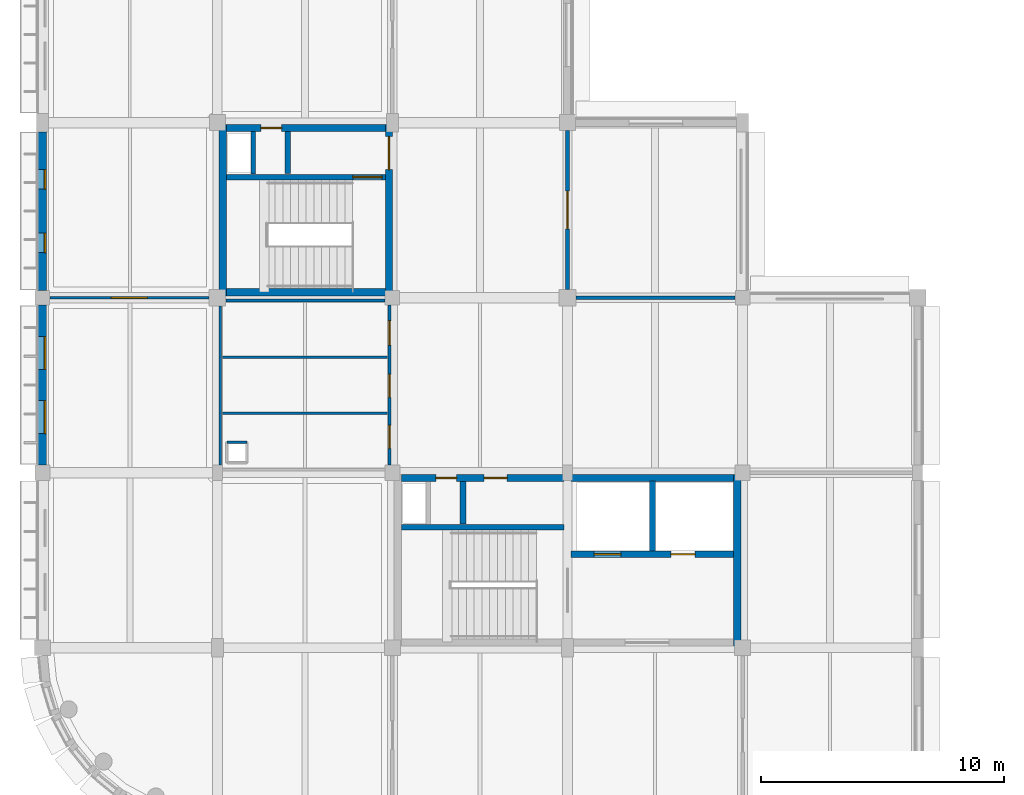
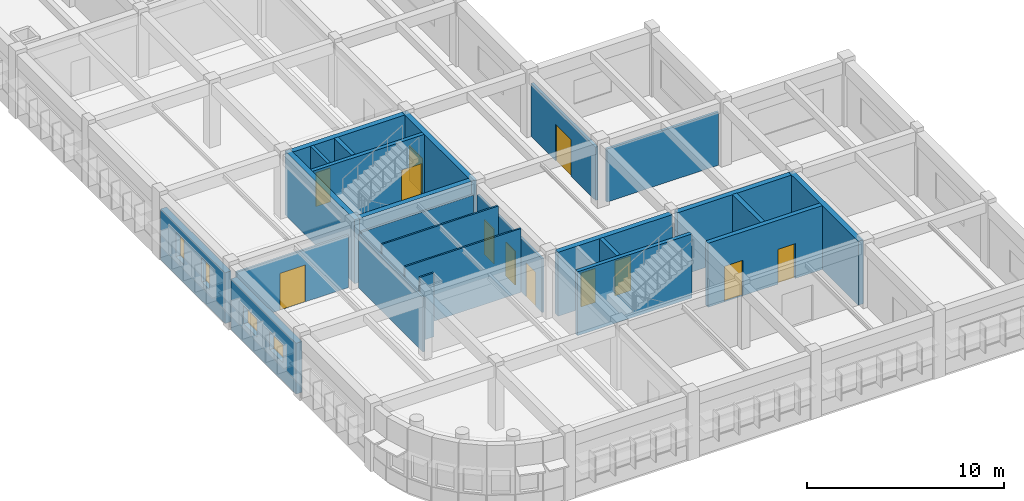
# One storey, part 20 of 38: 25 walls, 12 doors, 4 windows, 16 openings.
"""IFC4 building model written with IfcOpenShell, lengths in metres."""

from ifc_helpers import new_model, si_unit, direction, frame, frame_2d, origin, place, context, subcontext, project, spatial, rectangle, extrude, material, layer, layer_set, type_object, element, fill, save


model = new_model("IFC4")

# Units and contexts
model_context = context("Model", 3, precision=1e-05, world=origin(), true_north=direction((0.0, 1.0)))
body_context = subcontext(model_context, "Body", "Model", "MODEL_VIEW")
ifc_project = project(units=[si_unit("LENGTHUNIT", "METRE"), si_unit("AREAUNIT", "SQUARE_METRE"), si_unit("VOLUMEUNIT", "CUBIC_METRE"), si_unit("PLANEANGLEUNIT", "RADIAN"), si_unit("MASSUNIT", "GRAM", prefix="KILO")], contexts=[model_context])

# Site, building, storey
site_placement = place(None, origin())
site = spatial("IfcSite", under=ifc_project, at=site_placement, CompositionType="ELEMENT")
building_placement = place(site_placement, origin())
building = spatial("IfcBuilding", under=site, at=building_placement, Name="Thalmaran Polytechnic", CompositionType="ELEMENT")
storey_placement = place(building_placement, frame((0.0, 0.0, 18.60009765625)))
storey = spatial("IfcBuildingStorey", under=building, at=storey_placement, Name="L04", CompositionType="ELEMENT", Elevation=18.60009765625)

# Wall, openings, windows
ifc_material_1 = material(Name="Precast concrete C40/50", Category="concrete")
ifc_layer_1 = layer(ifc_material_1, 0.360107421875, Name="Precast concrete C40/50")
ifc_layer_set_1 = layer_set([ifc_layer_1], Name="Precast concrete C40/50")
wall_type_1 = type_object("IfcWallType", Name="WL-EW01", PredefinedType="STANDARD", material=ifc_layer_set_1)
wall_1_placement = place(storey_placement, frame((0.0, 14.7099609375, 0.0), z_axis=(0.0, 0.0, 1.0), x_axis=(0.0, 1.0, 0.0)))
wall_1 = element("IfcWall", 1, at=wall_1_placement, inside=storey, type_object=wall_type_1, Name="Exterior Precast Facade Wall L04-027", PredefinedType="STANDARD", context=body_context, shape_type="SweptSolid", body=[
    extrude(rectangle(XDim=6.590087890625, YDim=0.360107421875, at=frame_2d((3.294921875, 0.0))), origin(), (0.0, 0.0, 1.0), 3.14990234375),
])
opening_1_placement = place(wall_1_placement, frame((1.302001953125, 0.0, 1.14990234375)))
opening_1 = element("IfcOpeningElement", 2, at=opening_1_placement, cuts=wall_1, Name="Opening PW15", PredefinedType="OPENING", context=body_context, shape_type="SweptSolid", body=[
    extrude(rectangle(XDim=1.35009765625, YDim=1.10009765625, at=frame_2d((0.675048828125, 0.550048828125))), frame((0.0, 0.18994140625, 0.0), z_axis=(0.0, -1.0, 0.0), x_axis=(1.0, 0.0, 0.0)), (0.0, 0.0, 1.0), 0.380126953125),
])
opening_2_placement = place(wall_1_placement, frame((3.93798828125, 0.0, 1.14990234375)))
opening_2 = element("IfcOpeningElement", 3, at=opening_2_placement, cuts=wall_1, Name="Opening PW15", PredefinedType="OPENING", context=body_context, shape_type="SweptSolid", body=[
    extrude(rectangle(XDim=1.35009765625, YDim=1.10009765625, at=frame_2d((0.675048828125, 0.550048828125))), frame((0.0, 0.18994140625, 0.0), z_axis=(0.0, -1.0, 0.0), x_axis=(1.0, 0.0, 0.0)), (0.0, 0.0, 1.0), 0.380126953125),
])
ifc_material_2 = material(Name="Thermally broken aluminium and double low-E glass", Category="aluminium")
window_type_1 = type_object("IfcWindowType", Name="WN-PW05", PartitioningType="SINGLE_PANEL", PredefinedType="WINDOW", material=ifc_material_2)
window_1_placement = place(opening_1_placement, origin())
window_1 = element("IfcWindow", 4, at=window_1_placement, inside=storey, type_object=window_type_1, Name="Deep-Set Solar-Screened Window W-0550", OverallHeight=1.10009765625, OverallWidth=1.35009765625, PartitioningType="SINGLE_PANEL", PredefinedType="WINDOW", context=body_context, shape_type="SweptSolid", body=[
    extrude(rectangle(XDim=1.35009765625, YDim=1.10009765625, at=frame_2d((0.675048828125, 0.550048828125))), frame((0.0, -0.080078125, 0.0), z_axis=(0.0, -1.0, 0.0), x_axis=(1.0, 0.0, 0.0)), (0.0, 0.0, 1.0), 0.06005859375),
])
fill(opening_1, window_1)
window_2_placement = place(opening_2_placement, origin())
window_2 = element("IfcWindow", 5, at=window_2_placement, inside=storey, type_object=window_type_1, Name="Deep-Set Solar-Screened Window W-0551", OverallHeight=1.10009765625, OverallWidth=1.35009765625, PartitioningType="SINGLE_PANEL", PredefinedType="WINDOW", context=body_context, shape_type="SweptSolid", body=[
    extrude(rectangle(XDim=1.35009765625, YDim=1.10009765625, at=frame_2d((0.675048828125, 0.550048828125))), frame((0.0, -0.080078125, 0.0), z_axis=(0.0, -1.0, 0.0), x_axis=(1.0, 0.0, 0.0)), (0.0, 0.0, 1.0), 0.06005859375),
])
fill(opening_2, window_2)

wall_2_placement = place(storey_placement, frame((0.0, 21.89990234375, 0.0), z_axis=(0.0, 0.0, 1.0), x_axis=(0.0, 1.0, 0.0)))
wall_2 = element("IfcWall", 6, at=wall_2_placement, inside=storey, type_object=wall_type_1, Name="Exterior Precast Facade Wall L04-028", PredefinedType="STANDARD", context=body_context, shape_type="SweptSolid", body=[
    extrude(rectangle(XDim=6.525146484375, YDim=0.360107421875, at=frame_2d((3.2626953125, 0.0))), origin(), (0.0, 0.0, 1.0), 3.14990234375),
])
opening_3_placement = place(wall_2_placement, frame((1.5576171875, 0.0, 1.14990234375)))
opening_3 = element("IfcOpeningElement", 7, at=opening_3_placement, cuts=wall_2, Name="Opening PW16", PredefinedType="OPENING", context=body_context, shape_type="SweptSolid", body=[
    extrude(rectangle(XDim=0.800048828125, YDim=1.5, at=frame_2d((0.39990234375, 0.75))), frame((0.0, 0.18994140625, 0.0), z_axis=(0.0, -1.0, 0.0), x_axis=(1.0, 0.0, 0.0)), (0.0, 0.0, 1.0), 0.380126953125),
])
opening_4_placement = place(wall_2_placement, frame((4.16748046875, 0.0, 1.14990234375)))
opening_4 = element("IfcOpeningElement", 8, at=opening_4_placement, cuts=wall_2, Name="Opening PW16", PredefinedType="OPENING", context=body_context, shape_type="SweptSolid", body=[
    extrude(rectangle(XDim=0.800048828125, YDim=1.5, at=frame_2d((0.39990234375, 0.75))), frame((0.0, 0.18994140625, 0.0), z_axis=(0.0, -1.0, 0.0), x_axis=(1.0, 0.0, 0.0)), (0.0, 0.0, 1.0), 0.380126953125),
])
window_type_2 = type_object("IfcWindowType", Name="WN-PW06", PartitioningType="SINGLE_PANEL", PredefinedType="WINDOW", material=ifc_material_2)
window_3_placement = place(opening_3_placement, origin())
window_3 = element("IfcWindow", 9, at=window_3_placement, inside=storey, type_object=window_type_2, Name="Deep-Set Solar-Screened Window W-0552", OverallHeight=1.5, OverallWidth=0.800048828125, PartitioningType="SINGLE_PANEL", PredefinedType="WINDOW", context=body_context, shape_type="SweptSolid", body=[
    extrude(rectangle(XDim=0.800048828125, YDim=1.5, at=frame_2d((0.39990234375, 0.75))), frame((0.0, -0.080078125, 0.0), z_axis=(0.0, -1.0, 0.0), x_axis=(1.0, 0.0, 0.0)), (0.0, 0.0, 1.0), 0.06005859375),
])
fill(opening_3, window_3)
window_4_placement = place(opening_4_placement, origin())
window_4 = element("IfcWindow", 10, at=window_4_placement, inside=storey, type_object=window_type_2, Name="Deep-Set Solar-Screened Window W-0553", OverallHeight=1.5, OverallWidth=0.800048828125, PartitioningType="SINGLE_PANEL", PredefinedType="WINDOW", context=body_context, shape_type="SweptSolid", body=[
    extrude(rectangle(XDim=0.800048828125, YDim=1.5, at=frame_2d((0.39990234375, 0.75))), frame((0.0, -0.080078125, 0.0), z_axis=(0.0, -1.0, 0.0), x_axis=(1.0, 0.0, 0.0)), (0.0, 0.0, 1.0), 0.06005859375),
])
fill(opening_4, window_4)

# Walls
ifc_material_3 = material(Name="Autoclaved aerated masonry", Category="masonry")
ifc_layer_2 = layer(ifc_material_3, 0.25, Name="Autoclaved aerated masonry")
ifc_layer_set_2 = layer_set([ifc_layer_2], Name="Autoclaved aerated masonry")
wall_type_2 = type_object("IfcWallType", Name="WL-IW01", PredefinedType="PARTITIONING", material=ifc_layer_set_2)
wall_3_placement = place(storey_placement, frame((25.10009765625, 11.179931640625, 0.0), z_axis=(0.0, 0.0, 1.0), x_axis=(0.0, 1.0, 0.0)))
element("IfcWall", 11, at=wall_3_placement, inside=storey, type_object=wall_type_2, Name="Core C1 Shaft Dividing Wall L04", PredefinedType="PARTITIONING", context=body_context, shape_type="SweptSolid", body=[
    extrude(rectangle(XDim=2.8701171875, YDim=0.25, at=frame_2d((1.43505859375, 0.0))), origin(), (0.0, 0.0, 1.0), 3.954833984375),
])
ifc_layer_3 = layer(ifc_material_3, 0.22998046875, Name="Autoclaved aerated masonry")
ifc_layer_set_3 = layer_set([ifc_layer_3], Name="Autoclaved aerated masonry")
wall_type_3 = type_object("IfcWallType", Name="WL-IW02", PredefinedType="PARTITIONING", material=ifc_layer_set_3)
for number, where, z_axis, x_axis, name in (
    (12, (17.300048828125, 12.300048828125, 0.0), (0.0, 0.0, 1.0), (0.0, 1.0, 0.0), "Core C1 Riser Partition L04"),
    (13, (10.10009765625, 26.699951171875, 0.0), (0.0, 0.0, 1.0), (0.0, 1.0, 0.0), "Core C3 Riser Partition L04"),
):
    element("IfcWall", number, at=place(storey_placement, frame(where, z_axis=z_axis, x_axis=x_axis)), inside=storey, type_object=wall_type_3, Name=name, PredefinedType="PARTITIONING", context=body_context, shape_type="SweptSolid", body=[
        extrude(rectangle(XDim=1.739990234375, YDim=0.22998046875, at=frame_2d((0.8701171875, 0.0))), origin(), (0.0, 0.0, 1.0), 3.954833984375),
    ])
ifc_layer_4 = layer(ifc_material_3, 0.179931640625, Name="Autoclaved aerated masonry")
ifc_layer_set_4 = layer_set([ifc_layer_4], Name="Autoclaved aerated masonry")
wall_type_4 = type_object("IfcWallType", Name="WL-IW04", PredefinedType="PARTITIONING", material=ifc_layer_set_4)
wall_4_placement = place(storey_placement, frame((8.679931640625, 26.679931640625, 0.0), z_axis=(0.0, 0.0, 1.0), x_axis=(0.0, 1.0, 0.0)))
element("IfcWall", 14, at=wall_4_placement, inside=storey, type_object=wall_type_4, Name="Core C3 Riser Shaft Enclosure Wall L04", PredefinedType="PARTITIONING", context=body_context, shape_type="SweptSolid", body=[
    extrude(rectangle(XDim=1.760009765625, YDim=0.179931640625, at=frame_2d((0.8798828125, 0.0))), origin(), (0.0, 0.0, 1.0), 3.954833984375),
])

# Wall, opening, door
ifc_material_4 = material(Name="Gypsum acoustic partition")
ifc_layer_5 = layer(ifc_material_4, 0.14501953125, Name="Gypsum acoustic partition")
ifc_layer_set_5 = layer_set([ifc_layer_5], Name="Gypsum acoustic partition")
wall_type_5 = type_object("IfcWallType", Name="WL-IW06", PredefinedType="PARTITIONING", material=ifc_layer_set_5)
wall_5_placement = place(storey_placement, frame((21.60009765625, 21.945068359375, 0.0), z_axis=(0.0, 0.0, 1.0), x_axis=(0.0, 1.0, 0.0)))
wall_5 = element("IfcWall", 15, at=wall_5_placement, inside=storey, type_object=wall_type_5, Name="Interior Partition IW06 L04-026", PredefinedType="PARTITIONING", context=body_context, shape_type="SweptSolid", body=[
    extrude(rectangle(XDim=6.52490234375, YDim=0.14501953125, at=frame_2d((3.262451171875, 0.0))), origin(), (0.0, 0.0, 1.0), 3.2998046875),
])
opening_5_placement = place(wall_5_placement, frame((2.482421875, 0.0, 0.0)))
opening_5 = element("IfcOpeningElement", 16, at=opening_5_placement, cuts=wall_5, Name="Opening D-L04-008-1-06-1", PredefinedType="OPENING", context=body_context, shape_type="SweptSolid", body=[
    extrude(rectangle(XDim=1.56005859375, YDim=2.25, at=frame_2d((0.780029296875, 1.125))), frame((0.0, 0.08251953125, 0.0), z_axis=(0.0, -1.0, 0.0), x_axis=(1.0, 0.0, 0.0)), (0.0, 0.0, 1.0), 0.1650390625),
])
ifc_material_5 = material(Name="Acoustic hardwood and vision glass", Category="wood")
door_type_1 = type_object("IfcDoorType", Name="DR-ZD03", OperationType="NOTDEFINED", PredefinedType="DOOR", material=ifc_material_5)
door_1_placement = place(opening_5_placement, origin())
door_1 = element("IfcDoor", 17, at=door_1_placement, inside=storey, type_object=door_type_1, Name="Architecture Design Studio L04-06 Door 1", OperationType="SINGLE_SWING_RIGHT", OverallHeight=2.25, OverallWidth=1.56005859375, PredefinedType="DOOR", context=body_context, shape_type="SweptSolid", body=[
    extrude(rectangle(XDim=1.56005859375, YDim=2.25, at=frame_2d((0.780029296875, 1.125))), frame((0.0, 0.02490234375, 0.0), z_axis=(0.0, -1.0, 0.0), x_axis=(1.0, 0.0, 0.0)), (0.0, 0.0, 1.0), 0.050048828125),
])
fill(opening_5, door_1)

# Walls
wall_6_placement = place(storey_placement, frame((21.945068359375, 21.60009765625, 0.0), z_axis=(0.0, 0.0, 1.0), x_axis=(1.0, 0.0, 0.0)))
element("IfcWall", 18, at=wall_6_placement, inside=storey, type_object=wall_type_5, Name="Interior Partition IW06 L04-031", PredefinedType="PARTITIONING", context=body_context, shape_type="SweptSolid", body=[
    extrude(rectangle(XDim=6.550048828125, YDim=0.14501953125, at=frame_2d((3.27490234375, 0.0))), origin(), (0.0, 0.0, 1.0), 3.284912109375),
])
ifc_layer_6 = layer(ifc_material_4, 0.114990234375, Name="Gypsum acoustic partition")
ifc_layer_set_6 = layer_set([ifc_layer_6], Name="Gypsum acoustic partition")
wall_type_6 = type_object("IfcWallType", Name="WL-IW08", PredefinedType="PARTITIONING", material=ifc_layer_set_6)
wall_7_placement = place(storey_placement, frame((7.544921875, 21.47998046875, 0.0), z_axis=(0.0, 0.0, 1.0), x_axis=(1.0, 0.0, 0.0)))
element("IfcWall", 19, at=wall_7_placement, inside=storey, type_object=wall_type_6, Name="Sanitary Core Wall L04-W1-N", PredefinedType="PARTITIONING", context=body_context, shape_type="SweptSolid", body=[
    extrude(rectangle(XDim=6.550048828125, YDim=0.114990234375, at=frame_2d((3.27490234375, 0.0))), origin(), (0.0, 0.0, 1.0), 3.2548828125),
])
wall_8_placement = place(storey_placement, frame((7.320068359375, 14.72509765625, 0.0), z_axis=(0.0, 0.0, 1.0), x_axis=(0.0, 1.0, 0.0)))
element("IfcWall", 20, at=wall_8_placement, inside=storey, type_object=wall_type_6, Name="Sanitary Side Wall L04-W1-W", PredefinedType="PARTITIONING", context=body_context, shape_type="SweptSolid", body=[
    extrude(rectangle(XDim=6.52978515625, YDim=0.114990234375, at=frame_2d((3.264892578125, 0.0))), origin(), (0.0, 0.0, 1.0), 3.324951171875),
])

# Wall, openings, doors
wall_9_placement = place(storey_placement, frame((14.280029296875, 14.715087890625, 0.0), z_axis=(0.0, 0.0, 1.0), x_axis=(0.0, 1.0, 0.0)))
wall_9 = element("IfcWall", 21, at=wall_9_placement, inside=storey, type_object=wall_type_6, Name="Sanitary Side Wall L04-W1-E", PredefinedType="PARTITIONING", context=body_context, shape_type="SweptSolid", body=[
    extrude(rectangle(XDim=6.579833984375, YDim=0.114990234375, at=frame_2d((3.2900390625, 0.0))), origin(), (0.0, 0.0, 1.0), 3.324951171875),
])
opening_6_placement = place(wall_9_placement, frame((0.68505859375, 0.0, 0.0)))
opening_6 = element("IfcOpeningElement", 22, at=opening_6_placement, cuts=wall_9, Name="Opening WD-L04-W1-1", PredefinedType="OPENING", context=body_context, shape_type="SweptSolid", body=[
    extrude(rectangle(XDim=0.949951171875, YDim=2.10009765625, at=frame_2d((0.47509765625, 1.050048828125))), frame((0.0, 0.0673828125, 0.0), z_axis=(0.0, -1.0, 0.0), x_axis=(1.0, 0.0, 0.0)), (0.0, 0.0, 1.0), 0.135009765625),
])
opening_7_placement = place(wall_9_placement, frame((2.784912109375, 0.0, 0.0)))
opening_7 = element("IfcOpeningElement", 23, at=opening_7_placement, cuts=wall_9, Name="Opening WD-L04-W1-2", PredefinedType="OPENING", context=body_context, shape_type="SweptSolid", body=[
    extrude(rectangle(XDim=0.949951171875, YDim=2.10009765625, at=frame_2d((0.47509765625, 1.050048828125))), frame((0.0, 0.0673828125, 0.0), z_axis=(0.0, -1.0, 0.0), x_axis=(1.0, 0.0, 0.0)), (0.0, 0.0, 1.0), 0.135009765625),
])
opening_8_placement = place(wall_9_placement, frame((4.93505859375, 0.0, 0.0)))
opening_8 = element("IfcOpeningElement", 24, at=opening_8_placement, cuts=wall_9, Name="Opening WD-L04-W1-3", PredefinedType="OPENING", context=body_context, shape_type="SweptSolid", body=[
    extrude(rectangle(XDim=1.0, YDim=2.14990234375, at=frame_2d((0.5, 1.074951171875))), frame((0.0, 0.0673828125, 0.0), z_axis=(0.0, -1.0, 0.0), x_axis=(1.0, 0.0, 0.0)), (0.0, 0.0, 1.0), 0.135009765625),
])
ifc_material_6 = material(Name="Acoustic hardwood", Category="wood")
door_type_2 = type_object("IfcDoorType", Name="DR-ID06", OperationType="NOTDEFINED", PredefinedType="DOOR", material=ifc_material_6)
door_2_placement = place(opening_8_placement, origin())
door_2 = element("IfcDoor", 25, at=door_2_placement, inside=storey, type_object=door_type_2, Name="Accessible WC Door L04-W1", OperationType="SINGLE_SWING_RIGHT", OverallHeight=2.14990234375, OverallWidth=1.0, PredefinedType="DOOR", context=body_context, shape_type="SweptSolid", body=[
    extrude(rectangle(XDim=1.0, YDim=2.14990234375, at=frame_2d((0.5, 1.074951171875))), frame((0.0, 0.02490234375, 0.0), z_axis=(0.0, -1.0, 0.0), x_axis=(1.0, 0.0, 0.0)), (0.0, 0.0, 1.0), 0.050048828125),
])
fill(opening_8, door_2)
ifc_material_7 = material(Name="Moisture-resistant laminate timber", Category="wood")
door_type_3 = type_object("IfcDoorType", Name="DR-ID07", OperationType="NOTDEFINED", PredefinedType="DOOR", material=ifc_material_7)
door_3_placement = place(opening_6_placement, origin())
door_3 = element("IfcDoor", 26, at=door_3_placement, inside=storey, type_object=door_type_3, Name="Male WC Door L04-W1", OperationType="SINGLE_SWING_RIGHT", OverallHeight=2.10009765625, OverallWidth=0.949951171875, PredefinedType="DOOR", context=body_context, shape_type="SweptSolid", body=[
    extrude(rectangle(XDim=0.949951171875, YDim=2.10009765625, at=frame_2d((0.47509765625, 1.050048828125))), frame((0.0, 0.02490234375, 0.0), z_axis=(0.0, -1.0, 0.0), x_axis=(1.0, 0.0, 0.0)), (0.0, 0.0, 1.0), 0.050048828125),
])
fill(opening_6, door_3)
door_4_placement = place(opening_7_placement, origin())
door_4 = element("IfcDoor", 27, at=door_4_placement, inside=storey, type_object=door_type_3, Name="Female WC Door L04-W1", OperationType="SINGLE_SWING_LEFT", OverallHeight=2.10009765625, OverallWidth=0.949951171875, PredefinedType="DOOR", context=body_context, shape_type="SweptSolid", body=[
    extrude(rectangle(XDim=0.949951171875, YDim=2.10009765625, at=frame_2d((0.47509765625, 1.050048828125))), frame((0.0, 0.02490234375, 0.0), z_axis=(0.0, -1.0, 0.0), x_axis=(1.0, 0.0, 0.0)), (0.0, 0.0, 1.0), 0.050048828125),
])
fill(opening_7, door_4)

# Wall, opening, door
wall_10_placement = place(storey_placement, frame((0.304931640625, 21.60009765625, 0.0), z_axis=(0.0, 0.0, 1.0), x_axis=(1.0, 0.0, 0.0)))
wall_10 = element("IfcWall", 28, at=wall_10_placement, inside=storey, type_object=wall_type_6, Name="Interior Partition IW08 L04-001", PredefinedType="PARTITIONING", context=body_context, shape_type="SweptSolid", body=[
    extrude(rectangle(XDim=6.550048828125, YDim=0.114990234375, at=frame_2d((3.27490234375, 0.0))), origin(), (0.0, 0.0, 1.0), 3.23486328125),
])
opening_9_placement = place(wall_10_placement, frame((2.534912109375, 0.0, 0.0)))
opening_9 = element("IfcOpeningElement", 29, at=opening_9_placement, cuts=wall_10, Name="Opening D-L04-002-1-02-1", PredefinedType="OPENING", context=body_context, shape_type="SweptSolid", body=[
    extrude(rectangle(XDim=1.47998046875, YDim=2.280029296875, at=frame_2d((0.739990234375, 1.14013671875))), frame((0.0, 0.0673828125, 0.0), z_axis=(0.0, -1.0, 0.0), x_axis=(1.0, 0.0, 0.0)), (0.0, 0.0, 1.0), 0.135009765625),
])
ifc_material_8 = material(Name="Powder-coated fire-rated steel", Category="steel")
door_type_4 = type_object("IfcDoorType", Name="DR-ZD09", OperationType="NOTDEFINED", PredefinedType="DOOR", material=ifc_material_8)
door_5_placement = place(opening_9_placement, origin())
door_5 = element("IfcDoor", 30, at=door_5_placement, inside=storey, type_object=door_type_4, Name="Structural Models Design Studio L04-02 Door 1", OperationType="SINGLE_SWING_RIGHT", OverallHeight=2.280029296875, OverallWidth=1.47998046875, PredefinedType="DOOR", context=body_context, shape_type="SweptSolid", body=[
    extrude(rectangle(XDim=1.47998046875, YDim=2.280029296875, at=frame_2d((0.739990234375, 1.14013671875))), frame((0.0, 0.02490234375, 0.0), z_axis=(0.0, -1.0, 0.0), x_axis=(1.0, 0.0, 0.0)), (0.0, 0.0, 1.0), 0.050048828125),
])
fill(opening_9, door_5)

# Walls
ifc_material_9 = material(Name="Moisture-resistant partition")
ifc_layer_7 = layer(ifc_material_9, 0.10009765625, Name="Moisture-resistant partition")
ifc_layer_set_7 = layer_set([ifc_layer_7], Name="Moisture-resistant partition")
wall_type_7 = type_object("IfcWallType", Name="WL-IW09", PredefinedType="PARTITIONING", material=ifc_layer_set_7)
for number, where, z_axis, x_axis, name in (
    (31, (7.39990234375, 16.85009765625, 0.0), (0.0, 0.0, 1.0), (1.0, 0.0, 0.0), "WC Partition L04-W1-1"),
    (32, (7.39990234375, 19.14990234375, 0.0), (0.0, 0.0, 1.0), (1.0, 0.0, 0.0), "WC Partition L04-W1-2"),
):
    element("IfcWall", number, at=place(storey_placement, frame(where, z_axis=z_axis, x_axis=x_axis)), inside=storey, type_object=wall_type_7, Name=name, PredefinedType="PARTITIONING", context=body_context, shape_type="SweptSolid", body=[
        extrude(rectangle(XDim=6.800048828125, YDim=0.10009765625, at=frame_2d((3.39990234375, 0.0))), origin(), (0.0, 0.0, 1.0), 3.954833984375),
    ])
wall_11_placement = place(storey_placement, frame((8.409912109375, 15.659912109375, 0.0), z_axis=(0.0, 0.0, 1.0), x_axis=(-1.0, 0.0, 0.0)))
element("IfcWall", 33, at=wall_11_placement, inside=storey, type_object=wall_type_7, Name="Plumbing Riser Chase Wall L04-W1-N", PredefinedType="PARTITIONING", context=body_context, shape_type="SweptSolid", body=[
    extrude(rectangle(XDim=0.81982421875, YDim=0.10009765625, at=frame_2d((0.409912109375, 0.0))), origin(), (0.0, 0.0, 1.0), 3.954833984375),
])

# Wall, openings, doors
ifc_material_10 = material(Name="Concrete C50/60", Category="concrete")
ifc_layer_8 = layer(ifc_material_10, 0.300048828125, Name="Concrete C50/60")
ifc_layer_set_8 = layer_set([ifc_layer_8], Name="Concrete C50/60")
wall_type_8 = type_object("IfcWallType", Name="WL-SW04", PredefinedType="SHEAR", material=ifc_layer_set_8)
wall_12_placement = place(storey_placement, frame((14.77001953125, 14.179931640625, 0.0), z_axis=(0.0, 0.0, 1.0), x_axis=(1.0, 0.0, 0.0)))
wall_12 = element("IfcWall", 34, at=wall_12_placement, inside=storey, type_object=wall_type_8, Name="Core C1 North Shear Wall L04", PredefinedType="SHEAR", context=body_context, shape_type="SweptSolid", body=[
    extrude(rectangle(XDim=6.679931640625, YDim=0.300048828125, at=frame_2d((3.33984375, 0.0))), origin(), (0.0, 0.0, 1.0), 3.954833984375),
])
opening_10_placement = place(wall_12_placement, frame((1.419921875, 0.0, 0.0)))
opening_10 = element("IfcOpeningElement", 35, at=opening_10_placement, cuts=wall_12, Name="Opening DR-C1-L04-R", PredefinedType="OPENING", context=body_context, shape_type="SweptSolid", body=[
    extrude(rectangle(XDim=0.85009765625, YDim=2.10009765625, at=frame_2d((0.425048828125, 1.050048828125))), frame((0.0, 0.159912109375, 0.0), z_axis=(0.0, -1.0, 0.0), x_axis=(1.0, 0.0, 0.0)), (0.0, 0.0, 1.0), 0.320068359375),
])
opening_11_placement = place(wall_12_placement, frame((3.39990234375, 0.0, 0.0)))
opening_11 = element("IfcOpeningElement", 36, at=opening_11_placement, cuts=wall_12, Name="Opening ED-C1-L04-E", PredefinedType="OPENING", context=body_context, shape_type="SweptSolid", body=[
    extrude(rectangle(XDim=0.949951171875, YDim=2.14990234375, at=frame_2d((0.47509765625, 1.074951171875))), frame((0.0, 0.159912109375, 0.0), z_axis=(0.0, -1.0, 0.0), x_axis=(1.0, 0.0, 0.0)), (0.0, 0.0, 1.0), 0.320068359375),
])
door_type_5 = type_object("IfcDoorType", Name="DR-FD08", OperationType="NOTDEFINED", PredefinedType="DOOR", material=ifc_material_8)
door_6_placement = place(opening_11_placement, origin())
door_6 = element("IfcDoor", 37, at=door_6_placement, inside=storey, type_object=door_type_5, Name="Electrical Riser Door C1 L04", OperationType="SINGLE_SWING_RIGHT", OverallHeight=2.14990234375, OverallWidth=0.949951171875, PredefinedType="DOOR", context=body_context, shape_type="SweptSolid", body=[
    extrude(rectangle(XDim=0.949951171875, YDim=2.14990234375, at=frame_2d((0.47509765625, 1.074951171875))), frame((0.0, 0.02490234375, 0.0), z_axis=(0.0, -1.0, 0.0), x_axis=(1.0, 0.0, 0.0)), (0.0, 0.0, 1.0), 0.050048828125),
])
fill(opening_11, door_6)
door_type_6 = type_object("IfcDoorType", Name="DR-FD09", OperationType="NOTDEFINED", PredefinedType="DOOR", material=ifc_material_8)
door_7_placement = place(opening_10_placement, origin())
door_7 = element("IfcDoor", 38, at=door_7_placement, inside=storey, type_object=door_type_6, Name="Riser Access Fire Door C1 L04", OperationType="SINGLE_SWING_RIGHT", OverallHeight=2.10009765625, OverallWidth=0.85009765625, PredefinedType="DOOR", context=body_context, shape_type="SweptSolid", body=[
    extrude(rectangle(XDim=0.85009765625, YDim=2.10009765625, at=frame_2d((0.425048828125, 1.050048828125))), frame((0.0, 0.02490234375, 0.0), z_axis=(0.0, -1.0, 0.0), x_axis=(1.0, 0.0, 0.0)), (0.0, 0.0, 1.0), 0.050048828125),
])
fill(opening_10, door_7)

# Walls
wall_13_placement = place(storey_placement, frame((14.77001953125, 12.159912109375, 0.0), z_axis=(0.0, 0.0, 1.0), x_axis=(1.0, 0.0, 0.0)))
element("IfcWall", 39, at=wall_13_placement, inside=storey, type_object=wall_type_8, Name="Core C1 Stair Partition L04", PredefinedType="SHEAR", context=body_context, shape_type="SweptSolid", body=[
    extrude(rectangle(XDim=6.679931640625, YDim=0.219970703125, at=frame_2d((3.33984375, 0.0))), origin(), (0.0, 0.0, 1.0), 3.954833984375),
])
wall_14_placement = place(storey_placement, frame((28.580078125, 7.27001953125, 0.0), z_axis=(0.0, 0.0, 1.0), x_axis=(0.0, 1.0, 0.0)))
element("IfcWall", 40, at=wall_14_placement, inside=storey, type_object=wall_type_8, Name="Core C1 Lobby East Shear Wall L04", PredefinedType="SHEAR", context=body_context, shape_type="SweptSolid", body=[
    extrude(rectangle(XDim=7.06005859375, YDim=0.300048828125, at=frame_2d((3.530029296875, 0.0))), origin(), (0.0, 0.0, 1.0), 3.954833984375),
])
wall_15_placement = place(storey_placement, frame((21.75, 14.179931640625, 0.0), z_axis=(0.0, 0.0, 1.0), x_axis=(1.0, 0.0, 0.0)))
element("IfcWall", 41, at=wall_15_placement, inside=storey, type_object=wall_type_8, Name="Core C1 Lift Shaft Back Shear Wall L04", PredefinedType="SHEAR", context=body_context, shape_type="SweptSolid", body=[
    extrude(rectangle(XDim=6.679931640625, YDim=0.300048828125, at=frame_2d((3.33984375, 0.0))), origin(), (0.0, 0.0, 1.0), 3.954833984375),
])

# Wall, openings, doors
wall_16_placement = place(storey_placement, frame((21.75, 11.050048828125, 0.0), z_axis=(0.0, 0.0, 1.0), x_axis=(1.0, 0.0, 0.0)))
wall_16 = element("IfcWall", 42, at=wall_16_placement, inside=storey, type_object=wall_type_8, Name="Core C1 Lift Landing Front Wall L04", PredefinedType="SHEAR", context=body_context, shape_type="SweptSolid", body=[
    extrude(rectangle(XDim=6.679931640625, YDim=0.260009765625, at=frame_2d((3.33984375, 0.0))), origin(), (0.0, 0.0, 1.0), 3.954833984375),
])
opening_12_placement = place(wall_16_placement, frame((0.949951171875, 0.0, 0.0)))
opening_12 = element("IfcOpeningElement", 43, at=opening_12_placement, cuts=wall_16, Name="Opening LD-FL-01-L04", PredefinedType="OPENING", context=body_context, shape_type="SweptSolid", body=[
    extrude(rectangle(XDim=1.10009765625, YDim=2.199951171875, at=frame_2d((0.550048828125, 1.10009765625))), frame((0.0, 0.139892578125, 0.0), z_axis=(0.0, -1.0, 0.0), x_axis=(1.0, 0.0, 0.0)), (0.0, 0.0, 1.0), 0.280029296875),
])
opening_13_placement = place(wall_16_placement, frame((4.10009765625, 0.0, 0.0)))
opening_13 = element("IfcOpeningElement", 44, at=opening_13_placement, cuts=wall_16, Name="Opening LD-PL-01-L04", PredefinedType="OPENING", context=body_context, shape_type="SweptSolid", body=[
    extrude(rectangle(XDim=1.0, YDim=2.14990234375, at=frame_2d((0.5, 1.074951171875))), frame((0.0, 0.139892578125, 0.0), z_axis=(0.0, -1.0, 0.0), x_axis=(1.0, 0.0, 0.0)), (0.0, 0.0, 1.0), 0.280029296875),
])
ifc_material_11 = material(Name="Brushed stainless steel lift door", Category="steel")
door_type_7 = type_object("IfcDoorType", Name="DR-LD01", OperationType="NOTDEFINED", PredefinedType="DOOR", material=ifc_material_11)
door_8_placement = place(opening_12_placement, origin())
door_8 = element("IfcDoor", 45, at=door_8_placement, inside=storey, type_object=door_type_7, Name="Lift Landing Door FL-01 L04", OperationType="SLIDING_TO_LEFT", OverallHeight=2.199951171875, OverallWidth=1.10009765625, PredefinedType="DOOR", context=body_context, shape_type="SweptSolid", body=[
    extrude(rectangle(XDim=1.10009765625, YDim=2.199951171875, at=frame_2d((0.550048828125, 1.10009765625))), frame((0.0, 0.02490234375, 0.0), z_axis=(0.0, -1.0, 0.0), x_axis=(1.0, 0.0, 0.0)), (0.0, 0.0, 1.0), 0.050048828125),
])
fill(opening_12, door_8)
door_type_8 = type_object("IfcDoorType", Name="DR-LD02", OperationType="NOTDEFINED", PredefinedType="DOOR", material=ifc_material_11)
door_9_placement = place(opening_13_placement, origin())
door_9 = element("IfcDoor", 46, at=door_9_placement, inside=storey, type_object=door_type_8, Name="Lift Landing Door PL-01 L04", OperationType="SLIDING_TO_RIGHT", OverallHeight=2.14990234375, OverallWidth=1.0, PredefinedType="DOOR", context=body_context, shape_type="SweptSolid", body=[
    extrude(rectangle(XDim=1.0, YDim=2.14990234375, at=frame_2d((0.5, 1.074951171875))), frame((0.0, 0.02490234375, 0.0), z_axis=(0.0, -1.0, 0.0), x_axis=(1.0, 0.0, 0.0)), (0.0, 0.0, 1.0), 0.050048828125),
])
fill(opening_13, door_9)

# Walls
wall_17_placement = place(storey_placement, frame((7.570068359375, 21.820068359375, 0.0), z_axis=(0.0, 0.0, 1.0), x_axis=(1.0, 0.0, 0.0)))
element("IfcWall", 47, at=wall_17_placement, inside=storey, type_object=wall_type_8, Name="Core C3 South Shear Wall L04", PredefinedType="SHEAR", context=body_context, shape_type="SweptSolid", body=[
    extrude(rectangle(XDim=6.5400390625, YDim=0.300048828125, at=frame_2d((3.27001953125, 0.0))), origin(), (0.0, 0.0, 1.0), 3.954833984375),
])
wall_18_placement = place(storey_placement, frame((7.419921875, 28.72998046875, 0.0), z_axis=(0.0, 0.0, 1.0), x_axis=(0.0, -1.0, 0.0)))
element("IfcWall", 48, at=wall_18_placement, inside=storey, type_object=wall_type_8, Name="Core C3 West Shear Wall L04", PredefinedType="SHEAR", context=body_context, shape_type="SweptSolid", body=[
    extrude(rectangle(XDim=7.06005859375, YDim=0.300048828125, at=frame_2d((3.530029296875, 0.0))), origin(), (0.0, 0.0, 1.0), 3.954833984375),
])

# Wall, opening, door
wall_19_placement = place(storey_placement, frame((7.570068359375, 28.580078125, 0.0), z_axis=(0.0, 0.0, 1.0), x_axis=(1.0, 0.0, 0.0)))
wall_19 = element("IfcWall", 49, at=wall_19_placement, inside=storey, type_object=wall_type_8, Name="Core C3 North Shear Wall L04", PredefinedType="SHEAR", context=body_context, shape_type="SweptSolid", body=[
    extrude(rectangle(XDim=6.5400390625, YDim=0.300048828125, at=frame_2d((3.27001953125, 0.0))), origin(), (0.0, 0.0, 1.0), 3.954833984375),
])
opening_14_placement = place(wall_19_placement, frame((1.419921875, 0.0, 0.0)))
opening_14 = element("IfcOpeningElement", 50, at=opening_14_placement, cuts=wall_19, Name="Opening DR-C3-L04-R", PredefinedType="OPENING", context=body_context, shape_type="SweptSolid", body=[
    extrude(rectangle(XDim=0.85009765625, YDim=2.10009765625, at=frame_2d((0.425048828125, 1.050048828125))), frame((0.0, 0.159912109375, 0.0), z_axis=(0.0, -1.0, 0.0), x_axis=(1.0, 0.0, 0.0)), (0.0, 0.0, 1.0), 0.320068359375),
])
door_10_placement = place(opening_14_placement, origin())
door_10 = element("IfcDoor", 51, at=door_10_placement, inside=storey, type_object=door_type_6, Name="Riser Access Fire Door C3 L04", OperationType="SINGLE_SWING_RIGHT", OverallHeight=2.10009765625, OverallWidth=0.85009765625, PredefinedType="DOOR", context=body_context, shape_type="SweptSolid", body=[
    extrude(rectangle(XDim=0.85009765625, YDim=2.10009765625, at=frame_2d((0.425048828125, 1.050048828125))), frame((0.0, 0.02490234375, 0.0), z_axis=(0.0, -1.0, 0.0), x_axis=(1.0, 0.0, 0.0)), (0.0, 0.0, 1.0), 0.050048828125),
])
fill(opening_14, door_10)

wall_20_placement = place(storey_placement, frame((7.570068359375, 26.56005859375, 0.0), z_axis=(0.0, 0.0, 1.0), x_axis=(1.0, 0.0, 0.0)))
wall_20 = element("IfcWall", 52, at=wall_20_placement, inside=storey, type_object=wall_type_8, Name="Core C3 Stair Partition L04", PredefinedType="SHEAR", context=body_context, shape_type="SweptSolid", body=[
    extrude(rectangle(XDim=6.5400390625, YDim=0.219970703125, at=frame_2d((3.27001953125, 0.0))), origin(), (0.0, 0.0, 1.0), 3.954833984375),
])
opening_15_placement = place(wall_20_placement, frame((5.199951171875, 0.0, 0.0)))
opening_15 = element("IfcOpeningElement", 53, at=opening_15_placement, cuts=wall_20, Name="Opening SD-ST3-L04", PredefinedType="OPENING", context=body_context, shape_type="SweptSolid", body=[
    extrude(rectangle(XDim=1.199951171875, YDim=2.199951171875, at=frame_2d((0.60009765625, 1.10009765625))), frame((0.0, 0.119873046875, 0.0), z_axis=(0.0, -1.0, 0.0), x_axis=(1.0, 0.0, 0.0)), (0.0, 0.0, 1.0), 0.239990234375),
])
door_type_9 = type_object("IfcDoorType", Name="DR-FD04", OperationType="NOTDEFINED", PredefinedType="DOOR", material=ifc_material_8)
door_11_placement = place(opening_15_placement, origin())
door_11 = element("IfcDoor", 54, at=door_11_placement, inside=storey, type_object=door_type_9, Name="Exit Stair Fire Door ST3 L04", OperationType="DOUBLE_DOOR_SINGLE_SWING", OverallHeight=2.199951171875, OverallWidth=1.199951171875, PredefinedType="DOOR", context=body_context, shape_type="SweptSolid", body=[
    extrude(rectangle(XDim=1.199951171875, YDim=2.199951171875, at=frame_2d((0.60009765625, 1.10009765625))), frame((0.0, 0.02490234375, 0.0), z_axis=(0.0, -1.0, 0.0), x_axis=(1.0, 0.0, 0.0)), (0.0, 0.0, 1.0), 0.050048828125),
])
fill(opening_15, door_11)

wall_21_placement = place(storey_placement, frame((14.260009765625, 21.669921875, 0.0), z_axis=(0.0, 0.0, 1.0), x_axis=(0.0, 1.0, 0.0)))
wall_21 = element("IfcWall", 55, at=wall_21_placement, inside=storey, type_object=wall_type_8, Name="Core C3 East Shear Wall L04", PredefinedType="SHEAR", context=body_context, shape_type="SweptSolid", body=[
    extrude(rectangle(XDim=7.06005859375, YDim=0.300048828125, at=frame_2d((3.530029296875, 0.0))), origin(), (0.0, 0.0, 1.0), 3.954833984375),
])
opening_16_placement = place(wall_21_placement, frame((5.199951171875, 0.0, 0.0)))
opening_16 = element("IfcOpeningElement", 56, at=opening_16_placement, cuts=wall_21, Name="Opening LD-C3-L04", PredefinedType="OPENING", context=body_context, shape_type="SweptSolid", body=[
    extrude(rectangle(XDim=1.35009765625, YDim=2.14990234375, at=frame_2d((0.675048828125, 1.074951171875))), frame((0.0, 0.159912109375, 0.0), z_axis=(0.0, -1.0, 0.0), x_axis=(1.0, 0.0, 0.0)), (0.0, 0.0, 1.0), 0.320068359375),
])
door_type_10 = type_object("IfcDoorType", Name="DR-FD06", OperationType="NOTDEFINED", PredefinedType="DOOR", material=ifc_material_8)
door_12_placement = place(opening_16_placement, origin())
door_12 = element("IfcDoor", 57, at=door_12_placement, inside=storey, type_object=door_type_10, Name="Stair Lobby Fire Door C3 L04", OperationType="SINGLE_SWING_LEFT", OverallHeight=2.14990234375, OverallWidth=1.35009765625, PredefinedType="DOOR", context=body_context, shape_type="SweptSolid", body=[
    extrude(rectangle(XDim=1.35009765625, YDim=2.14990234375, at=frame_2d((0.675048828125, 1.074951171875))), frame((0.0, 0.02490234375, 0.0), z_axis=(0.0, -1.0, 0.0), x_axis=(1.0, 0.0, 0.0)), (0.0, 0.0, 1.0), 0.050048828125),
])
fill(opening_16, door_12)

save(model, "model.ifc")
